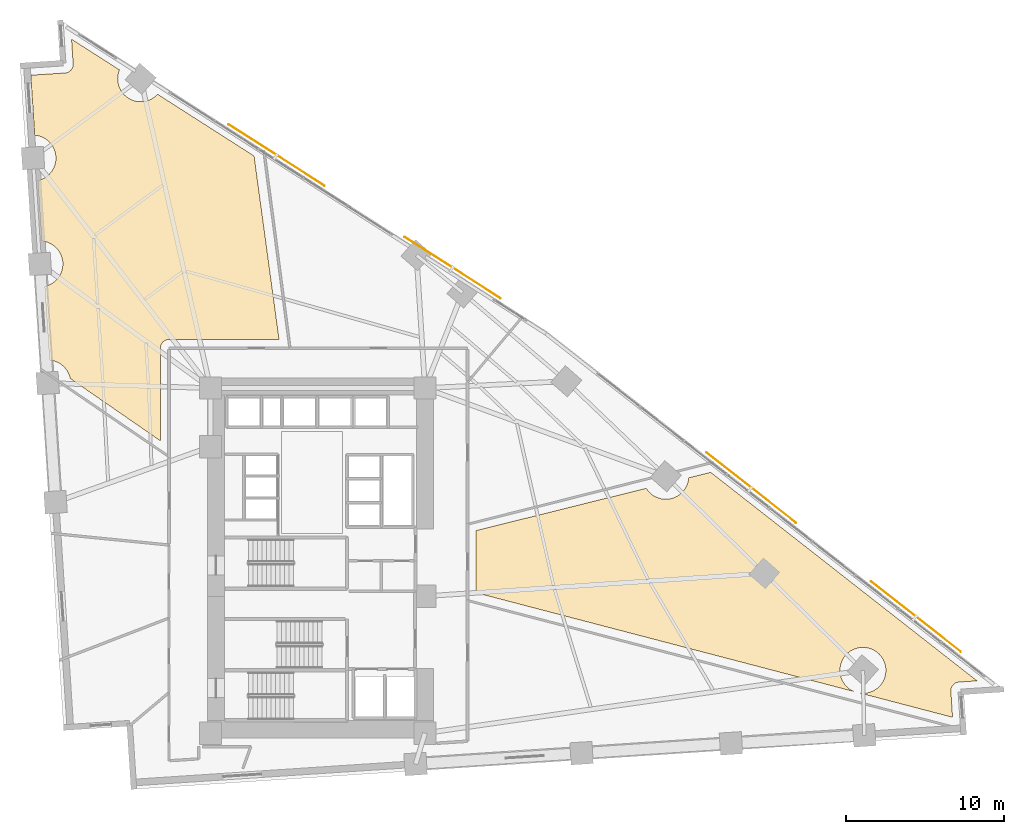
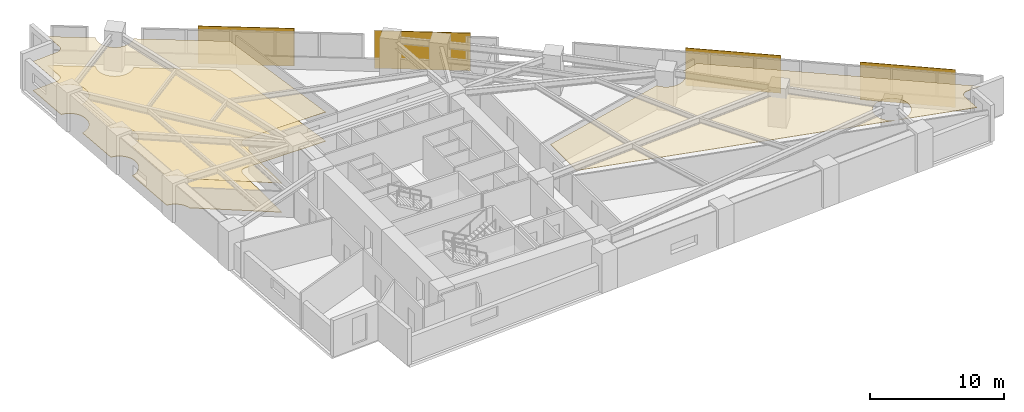
# One storey, part 16 of 16: 4 shading devices, 3 coverings.
"""IFC4 building model written with IfcOpenShell, lengths in metres."""

from ifc_helpers import new_model, si_unit, direction, frame, origin, origin_2d, place, context, subcontext, project, spatial, polyline, rectangle, outline, extrude, material, layer, layer_set, type_object, element, save


model = new_model("IFC4")

# Units and contexts
model_context = context("Model", 3, precision=1e-05, world=origin(), true_north=direction((0.0, 1.0)))
body_context = subcontext(model_context, "Body", "Model", "MODEL_VIEW")
ifc_project = project(units=[si_unit("LENGTHUNIT", "METRE"), si_unit("AREAUNIT", "SQUARE_METRE"), si_unit("VOLUMEUNIT", "CUBIC_METRE"), si_unit("PLANEANGLEUNIT", "RADIAN"), si_unit("MASSUNIT", "GRAM", prefix="KILO")], contexts=[model_context])

# Site, building, storey
site_placement = place(None, origin())
site = spatial("IfcSite", under=ifc_project, at=site_placement, CompositionType="ELEMENT")
building_placement = place(site_placement, origin())
building = spatial("IfcBuilding", under=site, at=building_placement, Name="Narakoshi Arena Tower", CompositionType="ELEMENT")
storey_placement = place(building_placement, frame((0.0, 0.0, 66.89990234375)))
storey = spatial("IfcBuildingStorey", under=building, at=storey_placement, Name="L17", CompositionType="ELEMENT", Elevation=66.89990234375)

# Coverings
ifc_material_1 = material(Name="Acoustic mineral-fibre ceiling tile")
ifc_layer_1 = layer(ifc_material_1, 0.02001953125)
ifc_layer_set_1 = layer_set([ifc_layer_1], Name="Acoustic mineral-fibre ceiling tile")
covering_type_1 = type_object("IfcCoveringType", Name="COV-CLG-AC20", PredefinedType="CEILING", material=ifc_layer_set_1)
covering_1_placement = place(storey_placement, frame((0.0, 0.0, 2.670166015625)))
element("IfcCovering", 1, at=covering_1_placement, inside=storey, type_object=covering_type_1, Name="L17 Suspended Acoustic Ceiling 1", PredefinedType="CEILING", context=body_context, shape_type="SweptSolid", body=[
    extrude(outline(polyline([(62.809326171875, 76.409423828125), (62.863037109375, 76.41552734375), (62.915771484375, 76.427001953125), (62.967041015625, 76.443603515625), (63.0166015625, 76.46484375), (63.063720703125, 76.4912109375), (63.108154296875, 76.52197265625), (63.1494140625, 76.556884765625), (63.18701171875, 76.595703125), (63.220458984375, 76.6376953125), (63.249755859375, 76.68310546875), (63.2744140625, 76.731201171875), (63.294189453125, 76.781494140625), (63.30908203125, 76.833251953125), (63.318603515625, 76.886474609375), (63.322998046875, 76.940185546875), (63.322265625, 76.994140625), (63.220703125, 78.541259765625), (66.252197265625, 76.602294921875), (66.250244140625, 76.598388671875), (66.202392578125, 76.46435546875), (66.167724609375, 76.326416015625), (66.14697265625, 76.185546875), (66.139892578125, 76.04345703125), (66.14697265625, 75.9013671875), (66.167724609375, 75.760498046875), (66.202392578125, 75.62255859375), (66.250244140625, 75.488525390625), (66.31103515625, 75.35986328125), (66.38427734375, 75.23779296875), (66.468994140625, 75.12353515625), (66.564697265625, 75.01806640625), (66.669921875, 74.922607421875), (66.7841796875, 74.837890625), (66.906494140625, 74.7646484375), (67.034912109375, 74.703857421875), (67.1689453125, 74.65576171875), (67.306884765625, 74.621337890625), (67.44775390625, 74.600341796875), (67.58984375, 74.593505859375), (67.73193359375, 74.600341796875), (67.872802734375, 74.621337890625), (68.0107421875, 74.65576171875), (68.144775390625, 74.703857421875), (68.2734375, 74.7646484375), (68.3955078125, 74.837890625), (68.509765625, 74.922607421875), (68.615234375, 75.01806640625), (68.656982421875, 75.064208984375), (74.753662109375, 71.16455078125), (76.33154296875, 59.570068359375), (69.3798828125, 59.570068359375), (69.326171875, 59.5673828125), (69.272705078125, 59.559326171875), (69.22021484375, 59.54638671875), (69.16943359375, 59.528076171875), (69.12060546875, 59.505126953125), (69.074462890625, 59.477294921875), (69.031005859375, 59.4453125), (68.9912109375, 59.408935546875), (68.954833984375, 59.368896484375), (68.922607421875, 59.32568359375), (68.89501953125, 59.279296875), (68.871826171875, 59.23046875), (68.853759765625, 59.1796875), (68.840576171875, 59.127197265625), (68.83251953125, 59.073974609375), (68.830078125, 59.02001953125), (68.830078125, 53.173828125), (63.137451171875, 57.108154296875), (63.1044921875, 57.239990234375), (63.056396484375, 57.373779296875), (62.99560546875, 57.50244140625), (62.922607421875, 57.62451171875), (62.837890625, 57.739013671875), (62.7421875, 57.84423828125), (62.63671875, 57.93994140625), (62.5224609375, 58.024658203125), (62.400390625, 58.097900390625), (62.271728515625, 58.15869140625), (62.1376953125, 58.20654296875), (61.999755859375, 58.2412109375), (61.85888671875, 58.261962890625), (61.82763671875, 58.263671875), (61.522216796875, 62.9248046875), (61.644775390625, 62.955322265625), (61.77880859375, 63.00341796875), (61.9072265625, 63.064208984375), (62.029296875, 63.137451171875), (62.143798828125, 63.22216796875), (62.2490234375, 63.317626953125), (62.3447265625, 63.423095703125), (62.429443359375, 63.537353515625), (62.502685546875, 63.659423828125), (62.5634765625, 63.7880859375), (62.611328125, 63.922119140625), (62.64599609375, 64.06005859375), (62.666748046875, 64.200927734375), (62.673828125, 64.343017578125), (62.666748046875, 64.485107421875), (62.64599609375, 64.6259765625), (62.611328125, 64.763916015625), (62.5634765625, 64.89794921875), (62.502685546875, 65.026611328125), (62.429443359375, 65.148681640625), (62.3447265625, 65.262939453125), (62.2490234375, 65.368408203125), (62.143798828125, 65.4638671875), (62.029296875, 65.548583984375), (61.9072265625, 65.621826171875), (61.77880859375, 65.6826171875), (61.644775390625, 65.730712890625), (61.506591796875, 65.76513671875), (61.365966796875, 65.785888671875), (61.33447265625, 65.78759765625), (61.083984375, 69.61279296875), (61.206298828125, 69.643310546875), (61.34033203125, 69.69140625), (61.468994140625, 69.752197265625), (61.591064453125, 69.8251953125), (61.705322265625, 69.909912109375), (61.810791015625, 70.005615234375), (61.90625, 70.111083984375), (61.990966796875, 70.225341796875), (62.064208984375, 70.347412109375), (62.125, 70.47607421875), (62.173095703125, 70.610107421875), (62.20751953125, 70.748046875), (62.228515625, 70.888916015625), (62.2353515625, 71.031005859375), (62.228515625, 71.173095703125), (62.20751953125, 71.313720703125), (62.173095703125, 71.451904296875), (62.125, 71.585693359375), (62.064208984375, 71.71435546875), (61.990966796875, 71.83642578125), (61.90625, 71.95068359375), (61.810791015625, 72.05615234375), (61.705322265625, 72.15185546875), (61.591064453125, 72.236572265625), (61.468994140625, 72.309814453125), (61.34033203125, 72.37060546875), (61.206298828125, 72.41845703125), (61.068359375, 72.452880859375), (60.927490234375, 72.473876953125), (60.896240234375, 72.4755859375), (60.647705078125, 76.267578125), (62.809326171875, 76.409423828125)])), origin(), (0.0, 0.0, 1.0), 0.02001953125),
])
ifc_material_2 = material(Name="Slatted oak acoustic timber baffle", Category="wood")
ifc_layer_2 = layer(ifc_material_2, 0.034912109375)
ifc_layer_set_2 = layer_set([ifc_layer_2], Name="Slatted oak acoustic timber baffle")
covering_type_2 = type_object("IfcCoveringType", Name="COV-CLG-WD35", PredefinedType="CEILING", material=ifc_layer_set_2)
covering_2_placement = place(storey_placement, frame((0.0, 0.0, 2.655029296875)))
element("IfcCovering", 2, at=covering_2_placement, inside=storey, type_object=covering_type_2, Name="L17 Suspended Acoustic Ceiling 2", PredefinedType="CEILING", context=body_context, shape_type="SweptSolid", body=[
    extrude(outline(polyline([(119.28564453125, 37.9287109375), (119.23193359375, 37.922607421875), (119.17919921875, 37.9111328125), (119.1279296875, 37.89453125), (119.078369140625, 37.873046875), (119.03125, 37.846923828125), (118.98681640625, 37.816162109375), (118.945556640625, 37.78125), (118.908203125, 37.742431640625), (118.87451171875, 37.7001953125), (118.84521484375, 37.65478515625), (118.820556640625, 37.606689453125), (118.80078125, 37.556640625), (118.785888671875, 37.504638671875), (118.7763671875, 37.45166015625), (118.77197265625, 37.397705078125), (118.772705078125, 37.34375), (118.88037109375, 35.703369140625), (113.029052734375, 37.23291015625), (113.07421875, 37.226318359375), (113.21630859375, 37.21923828125), (113.3583984375, 37.226318359375), (113.499267578125, 37.247314453125), (113.63720703125, 37.28173828125), (113.771240234375, 37.32958984375), (113.89990234375, 37.390380859375), (114.02197265625, 37.463623046875), (114.13623046875, 37.54833984375), (114.24169921875, 37.64404296875), (114.33740234375, 37.74951171875), (114.422119140625, 37.86376953125), (114.4951171875, 37.98583984375), (114.555908203125, 38.114501953125), (114.60400390625, 38.248291015625), (114.638427734375, 38.386474609375), (114.659423828125, 38.527099609375), (114.66650390625, 38.669189453125), (114.659423828125, 38.811279296875), (114.638427734375, 38.9521484375), (114.60400390625, 39.090087890625), (114.555908203125, 39.22412109375), (114.4951171875, 39.352783203125), (114.422119140625, 39.474853515625), (114.33740234375, 39.589111328125), (114.24169921875, 39.694580078125), (114.13623046875, 39.790283203125), (114.02197265625, 39.875), (113.89990234375, 39.947998046875), (113.771240234375, 40.0087890625), (113.63720703125, 40.056884765625), (113.499267578125, 40.09130859375), (113.3583984375, 40.1123046875), (113.21630859375, 40.119384765625), (113.07421875, 40.1123046875), (112.93359375, 40.09130859375), (112.79541015625, 40.056884765625), (112.66162109375, 40.0087890625), (112.532958984375, 39.947998046875), (112.410888671875, 39.875), (112.29638671875, 39.790283203125), (112.191162109375, 39.694580078125), (112.095458984375, 39.589111328125), (112.0107421875, 39.474853515625), (111.9375, 39.352783203125), (111.876708984375, 39.22412109375), (111.828857421875, 39.090087890625), (111.794189453125, 38.9521484375), (111.7734375, 38.811279296875), (111.766357421875, 38.669189453125), (111.7734375, 38.527099609375), (111.794189453125, 38.386474609375), (111.828857421875, 38.248291015625), (111.876708984375, 38.114501953125), (111.9375, 37.98583984375), (112.0107421875, 37.86376953125), (112.095458984375, 37.74951171875), (112.191162109375, 37.64404296875), (112.29638671875, 37.54833984375), (112.410888671875, 37.463623046875), (112.532958984375, 37.390380859375), (112.66162109375, 37.32958984375), (112.667724609375, 37.327392578125), (88.78759765625, 43.570068359375), (88.78759765625, 47.501708984375), (99.531005859375, 50.17041015625), (99.5576171875, 50.126220703125), (99.642333984375, 50.01171875), (99.73779296875, 49.906494140625), (99.84326171875, 49.810791015625), (99.95751953125, 49.72607421875), (100.07958984375, 49.65283203125), (100.208251953125, 49.592041015625), (100.34228515625, 49.544189453125), (100.480224609375, 49.509521484375), (100.62109375, 49.48876953125), (100.76318359375, 49.481689453125), (100.9052734375, 49.48876953125), (101.046142578125, 49.509521484375), (101.18408203125, 49.544189453125), (101.318115234375, 49.592041015625), (101.44677734375, 49.65283203125), (101.56884765625, 49.72607421875), (101.68310546875, 49.810791015625), (101.78857421875, 49.906494140625), (101.884033203125, 50.01171875), (101.96875, 50.126220703125), (102.0419921875, 50.248291015625), (102.102783203125, 50.376708984375), (102.15087890625, 50.5107421875), (102.185302734375, 50.648681640625), (102.206298828125, 50.78955078125), (102.20849609375, 50.835693359375), (103.598876953125, 51.180908203125), (120.429931640625, 38.003662109375), (119.28564453125, 37.9287109375)])), origin(), (0.0, 0.0, 1.0), 0.03515625),
])
ifc_material_3 = material(Name="Raised steel access floor panel", Category="steel")
ifc_layer_3 = layer(ifc_material_3, 0.044921875)
ifc_layer_set_3 = layer_set([ifc_layer_3], Name="Raised steel access floor panel")
covering_type_3 = type_object("IfcCoveringType", Name="COV-FLR-RF45", PredefinedType="FLOORING", material=ifc_layer_set_3)
covering_3_placement = place(storey_placement, origin())
element("IfcCovering", 3, at=covering_3_placement, inside=storey, type_object=covering_type_3, Name="L17 Raised Steel Access Floor", PredefinedType="FLOORING", context=body_context, shape_type="SweptSolid", body=[
    extrude(outline(polyline([(62.809326171875, 76.409423828125), (62.863037109375, 76.41552734375), (62.915771484375, 76.427001953125), (62.967041015625, 76.443603515625), (63.0166015625, 76.46484375), (63.063720703125, 76.4912109375), (63.108154296875, 76.52197265625), (63.1494140625, 76.556884765625), (63.18701171875, 76.595703125), (63.220458984375, 76.6376953125), (63.249755859375, 76.68310546875), (63.2744140625, 76.731201171875), (63.294189453125, 76.781494140625), (63.30908203125, 76.833251953125), (63.318603515625, 76.886474609375), (63.322998046875, 76.940185546875), (63.322265625, 76.994140625), (63.220703125, 78.541259765625), (66.252197265625, 76.602294921875), (66.250244140625, 76.598388671875), (66.202392578125, 76.46435546875), (66.167724609375, 76.326416015625), (66.14697265625, 76.185546875), (66.139892578125, 76.04345703125), (66.14697265625, 75.9013671875), (66.167724609375, 75.760498046875), (66.202392578125, 75.62255859375), (66.250244140625, 75.488525390625), (66.31103515625, 75.35986328125), (66.38427734375, 75.23779296875), (66.468994140625, 75.12353515625), (66.564697265625, 75.01806640625), (66.669921875, 74.922607421875), (66.7841796875, 74.837890625), (66.906494140625, 74.7646484375), (67.034912109375, 74.703857421875), (67.1689453125, 74.65576171875), (67.306884765625, 74.621337890625), (67.44775390625, 74.600341796875), (67.58984375, 74.593505859375), (67.73193359375, 74.600341796875), (67.872802734375, 74.621337890625), (68.0107421875, 74.65576171875), (68.144775390625, 74.703857421875), (68.2734375, 74.7646484375), (68.3955078125, 74.837890625), (68.509765625, 74.922607421875), (68.615234375, 75.01806640625), (68.656982421875, 75.064208984375), (74.753662109375, 71.16455078125), (76.33154296875, 59.570068359375), (69.3798828125, 59.570068359375), (69.326171875, 59.5673828125), (69.272705078125, 59.559326171875), (69.22021484375, 59.54638671875), (69.16943359375, 59.528076171875), (69.12060546875, 59.505126953125), (69.074462890625, 59.477294921875), (69.031005859375, 59.4453125), (68.9912109375, 59.408935546875), (68.954833984375, 59.368896484375), (68.922607421875, 59.32568359375), (68.89501953125, 59.279296875), (68.871826171875, 59.23046875), (68.853759765625, 59.1796875), (68.840576171875, 59.127197265625), (68.83251953125, 59.073974609375), (68.830078125, 59.02001953125), (68.830078125, 53.173828125), (63.137451171875, 57.108154296875), (63.1044921875, 57.239990234375), (63.056396484375, 57.373779296875), (62.99560546875, 57.50244140625), (62.922607421875, 57.62451171875), (62.837890625, 57.739013671875), (62.7421875, 57.84423828125), (62.63671875, 57.93994140625), (62.5224609375, 58.024658203125), (62.400390625, 58.097900390625), (62.271728515625, 58.15869140625), (62.1376953125, 58.20654296875), (61.999755859375, 58.2412109375), (61.85888671875, 58.261962890625), (61.82763671875, 58.263671875), (61.522216796875, 62.9248046875), (61.644775390625, 62.955322265625), (61.77880859375, 63.00341796875), (61.9072265625, 63.064208984375), (62.029296875, 63.137451171875), (62.143798828125, 63.22216796875), (62.2490234375, 63.317626953125), (62.3447265625, 63.423095703125), (62.429443359375, 63.537353515625), (62.502685546875, 63.659423828125), (62.5634765625, 63.7880859375), (62.611328125, 63.922119140625), (62.64599609375, 64.06005859375), (62.666748046875, 64.200927734375), (62.673828125, 64.343017578125), (62.666748046875, 64.485107421875), (62.64599609375, 64.6259765625), (62.611328125, 64.763916015625), (62.5634765625, 64.89794921875), (62.502685546875, 65.026611328125), (62.429443359375, 65.148681640625), (62.3447265625, 65.262939453125), (62.2490234375, 65.368408203125), (62.143798828125, 65.4638671875), (62.029296875, 65.548583984375), (61.9072265625, 65.621826171875), (61.77880859375, 65.6826171875), (61.644775390625, 65.730712890625), (61.506591796875, 65.76513671875), (61.365966796875, 65.785888671875), (61.33447265625, 65.78759765625), (61.083984375, 69.61279296875), (61.206298828125, 69.643310546875), (61.34033203125, 69.69140625), (61.468994140625, 69.752197265625), (61.591064453125, 69.8251953125), (61.705322265625, 69.909912109375), (61.810791015625, 70.005615234375), (61.90625, 70.111083984375), (61.990966796875, 70.225341796875), (62.064208984375, 70.347412109375), (62.125, 70.47607421875), (62.173095703125, 70.610107421875), (62.20751953125, 70.748046875), (62.228515625, 70.888916015625), (62.2353515625, 71.031005859375), (62.228515625, 71.173095703125), (62.20751953125, 71.313720703125), (62.173095703125, 71.451904296875), (62.125, 71.585693359375), (62.064208984375, 71.71435546875), (61.990966796875, 71.83642578125), (61.90625, 71.95068359375), (61.810791015625, 72.05615234375), (61.705322265625, 72.15185546875), (61.591064453125, 72.236572265625), (61.468994140625, 72.309814453125), (61.34033203125, 72.37060546875), (61.206298828125, 72.41845703125), (61.068359375, 72.452880859375), (60.927490234375, 72.473876953125), (60.896240234375, 72.4755859375), (60.647705078125, 76.267578125), (62.809326171875, 76.409423828125)])), origin(), (0.0, 0.0, 1.0), 0.045166015625),
])

# Shading devices
ifc_material_4 = material(Name="Perforated bronze ceramic-metal composite")
ifc_layer_4 = layer(ifc_material_4, 0.044921875)
ifc_layer_set_4 = layer_set([ifc_layer_4], Name="Perforated bronze ceramic-metal composite")
shading_device_type = type_object("IfcShadingDeviceType", Name="SHD-SCR-BRZ1", PredefinedType="USERDEFINED", material=ifc_layer_set_4)
for number, where, z_axis, x_axis, name in (
    (4, (116.560546875, 42.06494140625, 0.0), (0.0, 0.0, 1.0), (-0.787387121413, 0.616458855912, 0.0), "L17 Perforated Bronze Solar Screen 1-1"),
    (5, (106.1669921875, 50.2021484375, 0.0), (0.0, 0.0, 1.0), (-0.787387121413, 0.616458855912, 0.0), "L17 Perforated Bronze Solar Screen 1-2"),
    (6, (87.29541015625, 64.10693359375, 0.0), (0.0, 0.0, 1.0), (-0.842414781658, 0.538829597966, 0.0), "L17 Perforated Bronze Solar Screen 2-1"),
    (7, (76.17529296875, 71.219482421875, 0.0), (0.0, 0.0, 1.0), (-0.842414781658, 0.538829597966, 0.0), "L17 Perforated Bronze Solar Screen 2-2"),
):
    element("IfcShadingDevice", number, at=place(storey_placement, frame(where, z_axis=z_axis, x_axis=x_axis)), inside=storey, type_object=shading_device_type, Name=name, ObjectType="SOLAR SCREEN", PredefinedType="USERDEFINED", context=body_context, shape_type="SweptSolid", body=[
        extrude(rectangle(XDim=7.199951171875, YDim=0.044921875, at=origin_2d()), origin(), (0.0, 0.0, 1.0), 3.449951171875),
    ])

save(model, "model.ifc")
